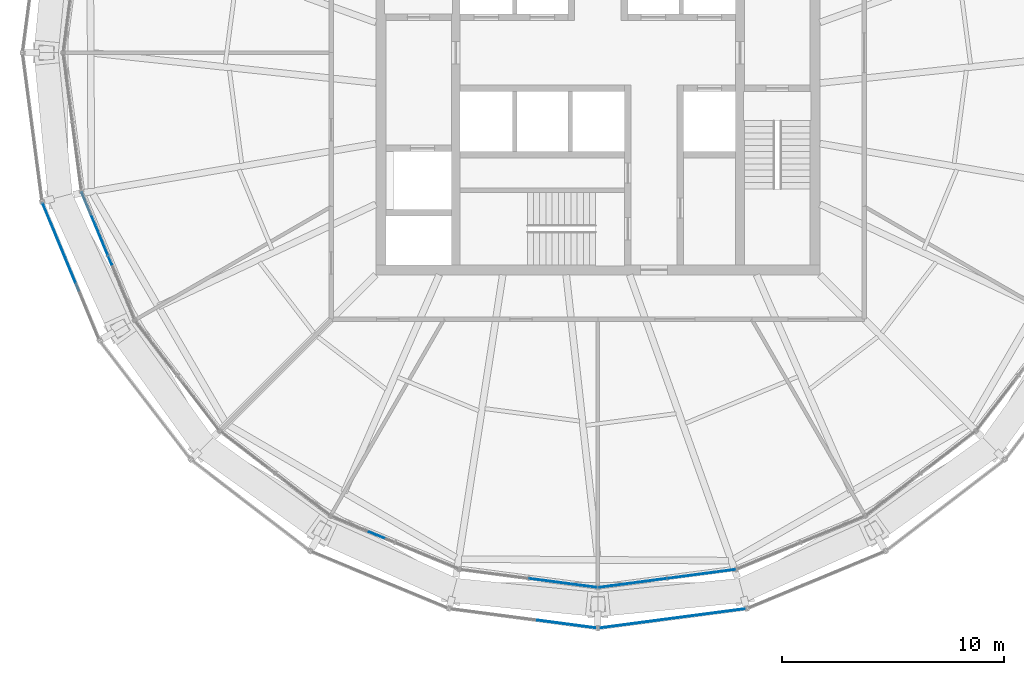
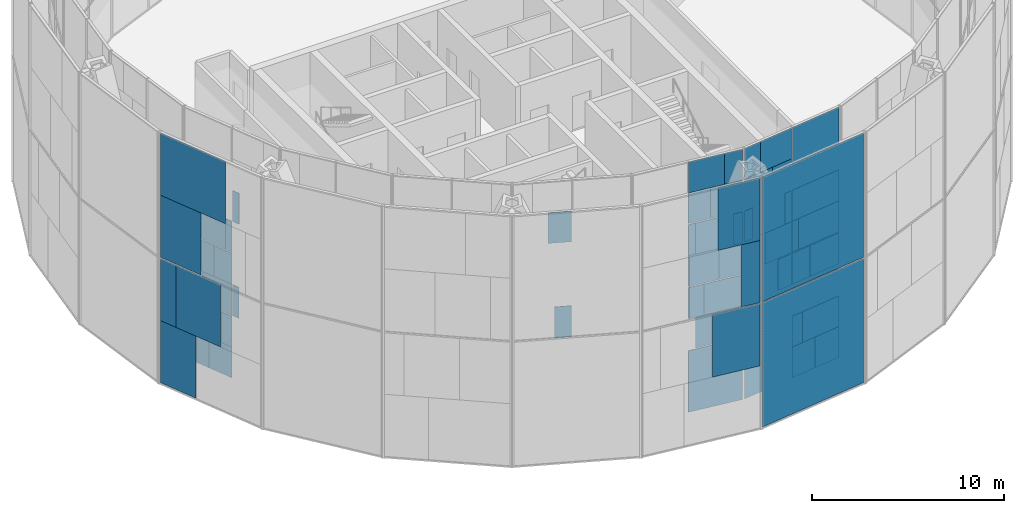
# One storey, part 15 of 30: 62 plates, 7 elements without a shape of their own.
"""IFC4 building model written with IfcOpenShell, lengths in metres."""

from ifc_helpers import new_model, si_unit, direction, frame, origin, origin_2d, place, context, subcontext, project, spatial, rectangle, extrude, material, layer, layer_set, type_object, element, aggregate, save


model = new_model("IFC4")

# Units and contexts
model_context = context("Model", 3, precision=1e-05, world=origin(), true_north=direction((0.0, 1.0)))
body_context = subcontext(model_context, "Body", "Model", "MODEL_VIEW")
ifc_project = project(units=[si_unit("LENGTHUNIT", "METRE"), si_unit("AREAUNIT", "SQUARE_METRE"), si_unit("VOLUMEUNIT", "CUBIC_METRE"), si_unit("PLANEANGLEUNIT", "RADIAN"), si_unit("MASSUNIT", "GRAM", prefix="KILO")], contexts=[model_context])

# Site, building, storey
site_placement = place(None, origin())
site = spatial("IfcSite", under=ifc_project, at=site_placement, CompositionType="ELEMENT")
building_placement = place(site_placement, origin())
building = spatial("IfcBuilding", under=site, at=building_placement, Name="Golbaran Civic Tower", CompositionType="ELEMENT")
storey_placement = place(building_placement, frame((0.0, 0.0, 167.0)))
storey = spatial("IfcBuildingStorey", under=building, at=storey_placement, Name="L40", CompositionType="ELEMENT", Elevation=167.0)

# Curtain wall, plates
ifc_material_1 = material(Name="Aluminium and glass", Category="aluminium")
curtain_wall_type_1 = type_object("IfcCurtainWallType", Name="INNER SKIN CURTAIN WALL EXECUTIVE", PredefinedType="NOTDEFINED", material=ifc_material_1)
curtain_wall_1_placement = place(storey_placement, origin())
curtain_wall_1 = element("IfcCurtainWall", 1, at=curtain_wall_1_placement, inside=storey, type_object=curtain_wall_type_1, Name="Inner skin L40 facet 14 CW2", ObjectType="INNER SKIN", PredefinedType="USERDEFINED")
ifc_material_2 = material(Name="Clear insulating glass", Category="glass")
ifc_layer_1 = layer(ifc_material_2, 0.031982421875, Name="Clear insulating glass")
ifc_layer_set_1 = layer_set([ifc_layer_1], Name="Clear insulating glass")
plate_type_1 = type_object("IfcPlateType", Name="INNER SKIN CURTAIN WALL EXECUTIVE GLAZED PANEL", PredefinedType="CURTAIN_PANEL", material=ifc_layer_set_1)
plate_1_placement = place(storey_placement, frame((-22.35400390625, -8.42626953125, 0.06005859375), z_axis=(0.0, 0.0, 1.0), x_axis=(0.382683432462, -0.923879532471, 0.0)))
plate_1 = element("IfcPlate", 2, at=plate_1_placement, type_object=plate_type_1, Name="CW2 panel 1.1 part 2", PredefinedType="CURTAIN_PANEL", context=body_context, shape_type="SweptSolid", body=[
    extrude(rectangle(XDim=1.4794921875, YDim=0.031982421875, at=origin_2d()), origin(), (0.0, 0.0, 1.0), 1.955078125),
])
plate_2_placement = place(storey_placement, frame((-22.20166015625, -8.7939453125, 2.014892578125), z_axis=(0.0, 0.0, 1.0), x_axis=(0.382683432462, -0.923879532471, 0.0)))
plate_2 = element("IfcPlate", 3, at=plate_2_placement, type_object=plate_type_1, Name="CW2 panel 1.1 part 4", PredefinedType="CURTAIN_PANEL", context=body_context, shape_type="SweptSolid", body=[
    extrude(rectangle(XDim=0.683349609375, YDim=0.031982421875, at=origin_2d()), origin(), (0.0, 0.0, 1.0), 1.955078125),
])
plate_3_placement = place(storey_placement, frame((-22.87744140625, -7.16259765625, 6.0), z_axis=(0.0, 0.0, 1.0), x_axis=(0.382683432462, -0.923879532471, 0.0)))
plate_3 = element("IfcPlate", 4, at=plate_3_placement, type_object=plate_type_1, Name="CW2 panel 1.2 part 3", PredefinedType="CURTAIN_PANEL", context=body_context, shape_type="SweptSolid", body=[
    extrude(rectangle(XDim=1.89208984375, YDim=0.031982421875, at=origin_2d()), origin(), (0.0, 0.0, 1.0), 1.969970703125),
])
plate_4_placement = place(storey_placement, frame((-22.73193359375, -7.513671875, 8.02978515625), z_axis=(0.0, 0.0, 1.0), x_axis=(0.382683432462, -0.923879532471, 0.0)))
plate_4 = element("IfcPlate", 5, at=plate_4_placement, type_object=plate_type_1, Name="CW2 panel 1.3 part 1", PredefinedType="CURTAIN_PANEL", context=body_context, shape_type="SweptSolid", body=[
    extrude(rectangle(XDim=2.652099609375, YDim=0.031982421875, at=origin_2d()), origin(), (0.0, 0.0, 1.0), 1.969970703125),
])
plate_5_placement = place(storey_placement, frame((-21.969970703125, -9.35302734375, 10.0), z_axis=(0.0, 0.0, 1.0), x_axis=(0.382683432462, -0.923879532471, 0.0)))
plate_5 = element("IfcPlate", 6, at=plate_5_placement, type_object=plate_type_1, Name="CW2 panel 2.3 part 3", PredefinedType="CURTAIN_PANEL", context=body_context, shape_type="SweptSolid", body=[
    extrude(rectangle(XDim=0.406982421875, YDim=0.031982421875, at=origin_2d()), origin(), (0.0, 0.0, 1.0), 1.969970703125),
])

# Curtain wall, plate
curtain_wall_2_placement = place(storey_placement, origin())
curtain_wall_2 = element("IfcCurtainWall", 7, at=curtain_wall_2_placement, inside=storey, type_object=curtain_wall_type_1, Name="Inner skin L40 facet 17 CW2", ObjectType="INNER SKIN", PredefinedType="USERDEFINED")
plate_6_placement = place(storey_placement, frame((-9.73486328125, -21.81201171875, 12.030029296875), z_axis=(0.0, 0.0, 1.0), x_axis=(0.923879532471, -0.382683432462, 0.0)))
plate_6 = element("IfcPlate", 8, at=plate_6_placement, type_object=plate_type_1, Name="CW2 panel 1.4 part 2", PredefinedType="CURTAIN_PANEL", context=body_context, shape_type="SweptSolid", body=[
    extrude(rectangle(XDim=1.2333984375, YDim=0.031982421875, at=origin_2d()), origin(), (0.0, 0.0, 1.0), 1.955078125),
])

# Curtain wall, plates
curtain_wall_3_placement = place(storey_placement, origin())
curtain_wall_3 = element("IfcCurtainWall", 9, at=curtain_wall_3_placement, inside=storey, type_object=curtain_wall_type_1, Name="Inner skin L40 facet 18 CW2", ObjectType="INNER SKIN", PredefinedType="USERDEFINED")
plate_7_placement = place(storey_placement, frame((-1.5732421875, -23.8759765625, 0.06005859375), z_axis=(0.0, 0.0, 1.0), x_axis=(0.991444861383, -0.130526192151, 0.0)))
plate_7 = element("IfcPlate", 10, at=plate_7_placement, type_object=plate_type_1, Name="CW2 panel 2.1", PredefinedType="CURTAIN_PANEL", context=body_context, shape_type="SweptSolid", body=[
    extrude(rectangle(XDim=3.053466796875, YDim=0.031982421875, at=origin_2d()), origin(), (0.0, 0.0, 1.0), 3.909912109375),
])
plate_8_placement = place(storey_placement, frame((-1.374267578125, -23.902099609375, 4.02978515625), z_axis=(0.0, 0.0, 1.0), x_axis=(0.991444861383, -0.130526192151, 0.0)))
plate_8 = element("IfcPlate", 11, at=plate_8_placement, type_object=plate_type_1, Name="CW2 panel 2.2 part 2", PredefinedType="CURTAIN_PANEL", context=body_context, shape_type="SweptSolid", body=[
    extrude(rectangle(XDim=2.65234375, YDim=0.031982421875, at=origin_2d()), origin(), (0.0, 0.0, 1.0), 1.969970703125),
])
plate_9_placement = place(storey_placement, frame((-1.134521484375, -23.93359375, 6.0), z_axis=(0.0, 0.0, 1.0), x_axis=(0.991444861383, -0.130526192151, 0.0)))
plate_9 = element("IfcPlate", 12, at=plate_9_placement, type_object=plate_type_1, Name="CW2 panel 2.2 part 4", PredefinedType="CURTAIN_PANEL", context=body_context, shape_type="SweptSolid", body=[
    extrude(rectangle(XDim=2.16845703125, YDim=0.031982421875, at=origin_2d()), origin(), (0.0, 0.0, 1.0), 1.969970703125),
])
plate_10_placement = place(storey_placement, frame((-0.724853515625, -23.987548828125, 8.02978515625), z_axis=(0.0, 0.0, 1.0), x_axis=(0.991444861383, -0.130526192151, 0.0)))
plate_10 = element("IfcPlate", 13, at=plate_10_placement, type_object=plate_type_1, Name="CW2 panel 2.3 part 2", PredefinedType="CURTAIN_PANEL", context=body_context, shape_type="SweptSolid", body=[
    extrude(rectangle(XDim=1.342529296875, YDim=0.031982421875, at=origin_2d()), origin(), (0.0, 0.0, 1.0), 1.969970703125),
])
plate_11_placement = place(storey_placement, frame((-2.885009765625, -23.703125, 10.0), z_axis=(0.0, 0.0, 1.0), x_axis=(0.991444861383, -0.130526192151, 0.0)))
plate_11 = element("IfcPlate", 14, at=plate_11_placement, type_object=plate_type_1, Name="CW2 panel 2.3 part 3", PredefinedType="CURTAIN_PANEL", context=body_context, shape_type="SweptSolid", body=[
    extrude(rectangle(XDim=0.406982421875, YDim=0.031982421875, at=origin_2d()), origin(), (0.0, 0.0, 1.0), 1.969970703125),
])
plate_12_placement = place(storey_placement, frame((-0.326904296875, -24.0400390625, 10.0), z_axis=(0.0, 0.0, 1.0), x_axis=(0.991444861383, -0.130526192151, 0.0)))
plate_12 = element("IfcPlate", 15, at=plate_12_placement, type_object=plate_type_1, Name="CW2 panel 2.3 part 5", PredefinedType="CURTAIN_PANEL", context=body_context, shape_type="SweptSolid", body=[
    extrude(rectangle(XDim=0.53955078125, YDim=0.031982421875, at=origin_2d()), origin(), (0.0, 0.0, 1.0), 1.969970703125),
])
plate_13_placement = place(storey_placement, frame((-2.47509765625, -23.757080078125, 12.030029296875), z_axis=(0.0, 0.0, 1.0), x_axis=(0.991444861383, -0.130526192151, 0.0)))
plate_13 = element("IfcPlate", 16, at=plate_13_placement, type_object=plate_type_1, Name="CW2 panel 2.4 part 1", PredefinedType="CURTAIN_PANEL", context=body_context, shape_type="SweptSolid", body=[
    extrude(rectangle(XDim=1.23388671875, YDim=0.031982421875, at=origin_2d()), origin(), (0.0, 0.0, 1.0), 1.955078125),
])
plate_14_placement = place(storey_placement, frame((-2.08056640625, -23.80908203125, 13.98486328125), z_axis=(0.0, 0.0, 1.0), x_axis=(0.991444861383, -0.130526192151, 0.0)))
plate_14 = element("IfcPlate", 17, at=plate_14_placement, type_object=plate_type_1, Name="CW2 panel 2.4 part 3", PredefinedType="CURTAIN_PANEL", context=body_context, shape_type="SweptSolid", body=[
    extrude(rectangle(XDim=2.030029296875, YDim=0.031982421875, at=origin_2d()), origin(), (0.0, 0.0, 1.0), 1.955078125),
])

curtain_wall_4_placement = place(storey_placement, origin())
curtain_wall_4 = element("IfcCurtainWall", 18, at=curtain_wall_4_placement, inside=storey, type_object=curtain_wall_type_1, Name="Inner skin L40 facet 19 CW2", ObjectType="INNER SKIN", PredefinedType="USERDEFINED")
plate_15_placement = place(storey_placement, frame((1.5732421875, -23.8759765625, 0.06005859375), z_axis=(0.0, 0.0, 1.0), x_axis=(0.991444861383, 0.130526192151, 0.0)))
plate_15 = element("IfcPlate", 19, at=plate_15_placement, type_object=plate_type_1, Name="CW2 panel 1.1", PredefinedType="CURTAIN_PANEL", context=body_context, shape_type="SweptSolid", body=[
    extrude(rectangle(XDim=3.053466796875, YDim=0.031982421875, at=origin_2d()), origin(), (0.0, 0.0, 1.0), 3.909912109375),
])
plate_16_placement = place(storey_placement, frame((1.3740234375, -23.902099609375, 4.02978515625), z_axis=(0.0, 0.0, 1.0), x_axis=(0.991444861383, 0.130526192151, 0.0)))
plate_16 = element("IfcPlate", 20, at=plate_16_placement, type_object=plate_type_1, Name="CW2 panel 1.2 part 1", PredefinedType="CURTAIN_PANEL", context=body_context, shape_type="SweptSolid", body=[
    extrude(rectangle(XDim=2.652099609375, YDim=0.031982421875, at=origin_2d()), origin(), (0.0, 0.0, 1.0), 1.969970703125),
])
plate_17_placement = place(storey_placement, frame((1.134765625, -23.93359375, 6.0), z_axis=(0.0, 0.0, 1.0), x_axis=(0.991444861383, 0.130526192151, 0.0)))
plate_17 = element("IfcPlate", 21, at=plate_17_placement, type_object=plate_type_1, Name="CW2 panel 1.2 part 3", PredefinedType="CURTAIN_PANEL", context=body_context, shape_type="SweptSolid", body=[
    extrude(rectangle(XDim=2.1689453125, YDim=0.031982421875, at=origin_2d()), origin(), (0.0, 0.0, 1.0), 1.969970703125),
])
plate_18_placement = place(storey_placement, frame((0.724853515625, -23.987548828125, 8.02978515625), z_axis=(0.0, 0.0, 1.0), x_axis=(0.991444861383, 0.130526192151, 0.0)))
plate_18 = element("IfcPlate", 22, at=plate_18_placement, type_object=plate_type_1, Name="CW2 panel 1.3 part 1", PredefinedType="CURTAIN_PANEL", context=body_context, shape_type="SweptSolid", body=[
    extrude(rectangle(XDim=1.342041015625, YDim=0.031982421875, at=origin_2d()), origin(), (0.0, 0.0, 1.0), 1.969970703125),
])
plate_19_placement = place(storey_placement, frame((0.3271484375, -24.0400390625, 10.0), z_axis=(0.0, 0.0, 1.0), x_axis=(0.991444861383, 0.130526192151, 0.0)))
plate_19 = element("IfcPlate", 23, at=plate_19_placement, type_object=plate_type_1, Name="CW2 panel 1.3 part 3", PredefinedType="CURTAIN_PANEL", context=body_context, shape_type="SweptSolid", body=[
    extrude(rectangle(XDim=0.5400390625, YDim=0.031982421875, at=origin_2d()), origin(), (0.0, 0.0, 1.0), 1.969970703125),
])
plate_20_placement = place(storey_placement, frame((2.884765625, -23.703125, 10.0), z_axis=(0.0, 0.0, 1.0), x_axis=(0.991444861383, 0.130526192151, 0.0)))
plate_20 = element("IfcPlate", 24, at=plate_20_placement, type_object=plate_type_1, Name="CW2 panel 1.3 part 5", PredefinedType="CURTAIN_PANEL", context=body_context, shape_type="SweptSolid", body=[
    extrude(rectangle(XDim=0.407470703125, YDim=0.031982421875, at=origin_2d()), origin(), (0.0, 0.0, 1.0), 1.969970703125),
])
plate_21_placement = place(storey_placement, frame((2.475341796875, -23.757080078125, 12.030029296875), z_axis=(0.0, 0.0, 1.0), x_axis=(0.991444861383, 0.130526192151, 0.0)))
plate_21 = element("IfcPlate", 25, at=plate_21_placement, type_object=plate_type_1, Name="CW2 panel 1.4 part 2", PredefinedType="CURTAIN_PANEL", context=body_context, shape_type="SweptSolid", body=[
    extrude(rectangle(XDim=1.2333984375, YDim=0.031982421875, at=origin_2d()), origin(), (0.0, 0.0, 1.0), 1.955078125),
])
plate_22_placement = place(storey_placement, frame((2.080810546875, -23.80908203125, 13.98486328125), z_axis=(0.0, 0.0, 1.0), x_axis=(0.991444861383, 0.130526192151, 0.0)))
plate_22 = element("IfcPlate", 26, at=plate_22_placement, type_object=plate_type_1, Name="CW2 panel 1.4 part 4", PredefinedType="CURTAIN_PANEL", context=body_context, shape_type="SweptSolid", body=[
    extrude(rectangle(XDim=2.029541015625, YDim=0.031982421875, at=origin_2d()), origin(), (0.0, 0.0, 1.0), 1.955078125),
])
plate_23_placement = place(storey_placement, frame((3.8798828125, -23.572265625, 0.06005859375), z_axis=(0.0, 0.0, 1.0), x_axis=(0.991444861383, 0.130526192151, 0.0)))
plate_23 = element("IfcPlate", 27, at=plate_23_placement, type_object=plate_type_1, Name="CW2 panel 2.1 part 1", PredefinedType="CURTAIN_PANEL", context=body_context, shape_type="SweptSolid", body=[
    extrude(rectangle(XDim=1.47998046875, YDim=0.031982421875, at=origin_2d()), origin(), (0.0, 0.0, 1.0), 1.955078125),
])
plate_24_placement = place(storey_placement, frame((3.4853515625, -23.6240234375, 2.014892578125), z_axis=(0.0, 0.0, 1.0), x_axis=(0.991444861383, 0.130526192151, 0.0)))
plate_24 = element("IfcPlate", 28, at=plate_24_placement, type_object=plate_type_1, Name="CW2 panel 2.1 part 3", PredefinedType="CURTAIN_PANEL", context=body_context, shape_type="SweptSolid", body=[
    extrude(rectangle(XDim=0.68408203125, YDim=0.031982421875, at=origin_2d()), origin(), (0.0, 0.0, 1.0), 1.955078125),
])
plate_25_placement = place(storey_placement, frame((5.633544921875, -23.34130859375, 4.02978515625), z_axis=(0.0, 0.0, 1.0), x_axis=(0.991444861383, 0.130526192151, 0.0)))
plate_25 = element("IfcPlate", 29, at=plate_25_placement, type_object=plate_type_1, Name="CW2 panel 2.2 part 2", PredefinedType="CURTAIN_PANEL", context=body_context, shape_type="SweptSolid", body=[
    extrude(rectangle(XDim=1.08935546875, YDim=0.031982421875, at=origin_2d()), origin(), (0.0, 0.0, 1.0), 1.969970703125),
])
plate_26_placement = place(storey_placement, frame((5.235595703125, -23.393798828125, 6.0), z_axis=(0.0, 0.0, 1.0), x_axis=(0.991444861383, 0.130526192151, 0.0)))
plate_26 = element("IfcPlate", 30, at=plate_26_placement, type_object=plate_type_1, Name="CW2 panel 2.2 part 4", PredefinedType="CURTAIN_PANEL", context=body_context, shape_type="SweptSolid", body=[
    extrude(rectangle(XDim=1.892578125, YDim=0.031982421875, at=origin_2d()), origin(), (0.0, 0.0, 1.0), 1.969970703125),
])
plate_27_placement = place(storey_placement, frame((4.85888671875, -23.443359375, 8.02978515625), z_axis=(0.0, 0.0, 1.0), x_axis=(0.991444861383, 0.130526192151, 0.0)))
plate_27 = element("IfcPlate", 31, at=plate_27_placement, type_object=plate_type_1, Name="CW2 panel 2.3 part 2", PredefinedType="CURTAIN_PANEL", context=body_context, shape_type="SweptSolid", body=[
    extrude(rectangle(XDim=2.65234375, YDim=0.031982421875, at=origin_2d()), origin(), (0.0, 0.0, 1.0), 1.969970703125),
])
plate_28_placement = place(storey_placement, frame((4.659912109375, -23.469482421875, 10.0), z_axis=(0.0, 0.0, 1.0), x_axis=(0.991444861383, 0.130526192151, 0.0)))
plate_28 = element("IfcPlate", 32, at=plate_28_placement, type_object=plate_type_1, Name="CW2 panel 2.3 part 3", PredefinedType="CURTAIN_PANEL", context=body_context, shape_type="SweptSolid", body=[
    extrude(rectangle(XDim=3.053466796875, YDim=0.031982421875, at=origin_2d()), origin(), (0.0, 0.0, 1.0), 1.969970703125),
])
plate_29_placement = place(storey_placement, frame((4.659912109375, -23.469482421875, 12.0302734375), z_axis=(0.0, 0.0, 1.0), x_axis=(0.991444861383, 0.130526192151, 0.0)))
plate_29 = element("IfcPlate", 33, at=plate_29_placement, type_object=plate_type_1, Name="CW2 panel 2.4", PredefinedType="CURTAIN_PANEL", context=body_context, shape_type="SweptSolid", body=[
    extrude(rectangle(XDim=3.053466796875, YDim=0.031982421875, at=origin_2d()), origin(), (0.0, 0.0, 1.0), 3.909912109375),
])

# Plate
ifc_material_3 = material(Name="Aluminium faced opaque infill panel", Category="aluminium")
ifc_layer_2 = layer(ifc_material_3, 0.031982421875, Name="Aluminium faced opaque infill panel")
ifc_layer_set_2 = layer_set([ifc_layer_2], Name="Aluminium faced opaque infill panel")
plate_type_2 = type_object("IfcPlateType", Name="INNER SKIN CURTAIN WALL EXECUTIVE OPAQUE INFILL PANEL", PredefinedType="CURTAIN_PANEL", material=ifc_layer_set_2)
plate_30_placement = place(storey_placement, frame((-22.938232421875, -7.015625, 0.06005859375), z_axis=(0.0, 0.0, 1.0), x_axis=(0.382683432462, -0.923879532471, 0.0)))
plate_30 = element("IfcPlate", 34, at=plate_30_placement, type_object=plate_type_2, Name="CW2 infill panel 1.1 part 1", PredefinedType="CURTAIN_PANEL", context=body_context, shape_type="SweptSolid", body=[
    extrude(rectangle(XDim=1.573974609375, YDim=0.031982421875, at=origin_2d()), origin(), (0.0, 0.0, 1.0), 1.955078125),
])

plate_31_placement = place(storey_placement, frame((-22.785888671875, -7.38330078125, 2.014892578125), z_axis=(0.0, 0.0, 1.0), x_axis=(0.382683432462, -0.923879532471, 0.0)))
plate_31 = element("IfcPlate", 35, at=plate_31_placement, type_object=plate_type_2, Name="CW2 infill panel 1.1 part 3", PredefinedType="CURTAIN_PANEL", context=body_context, shape_type="SweptSolid", body=[
    extrude(rectangle(XDim=2.3701171875, YDim=0.031982421875, at=origin_2d()), origin(), (0.0, 0.0, 1.0), 1.955078125),
])

plate_32_placement = place(storey_placement, frame((-22.446533203125, -8.20263671875, 4.02978515625), z_axis=(0.0, 0.0, 1.0), x_axis=(0.382683432462, -0.923879532471, 0.0)))
plate_32 = element("IfcPlate", 36, at=plate_32_placement, type_object=plate_type_2, Name="CW2 infill panel 1.2 part 2", PredefinedType="CURTAIN_PANEL", context=body_context, shape_type="SweptSolid", body=[
    extrude(rectangle(XDim=1.96337890625, YDim=0.031982421875, at=origin_2d()), origin(), (0.0, 0.0, 1.0), 1.969970703125),
])

plate_33_placement = place(storey_placement, frame((-22.293212890625, -8.572998046875, 6.0), z_axis=(0.0, 0.0, 1.0), x_axis=(0.382683432462, -0.923879532471, 0.0)))
plate_33 = element("IfcPlate", 37, at=plate_33_placement, type_object=plate_type_2, Name="CW2 infill panel 1.2 part 4", PredefinedType="CURTAIN_PANEL", context=body_context, shape_type="SweptSolid", body=[
    extrude(rectangle(XDim=1.161376953125, YDim=0.031982421875, at=origin_2d()), origin(), (0.0, 0.0, 1.0), 1.969970703125),
])

plate_34_placement = place(storey_placement, frame((-22.147705078125, -8.924072265625, 8.02978515625), z_axis=(0.0, 0.0, 1.0), x_axis=(0.382683432462, -0.923879532471, 0.0)))
plate_34 = element("IfcPlate", 38, at=plate_34_placement, type_object=plate_type_2, Name="CW2 infill panel 1.3 part 2", PredefinedType="CURTAIN_PANEL", context=body_context, shape_type="SweptSolid", body=[
    extrude(rectangle(XDim=0.4013671875, YDim=0.031982421875, at=origin_2d()), origin(), (0.0, 0.0, 1.0), 1.969970703125),
])

plate_35_placement = place(storey_placement, frame((-21.97119140625, -9.350341796875, 4.02978515625), z_axis=(0.0, 0.0, 1.0), x_axis=(0.382683432462, -0.923879532471, 0.0)))
plate_35 = element("IfcPlate", 39, at=plate_35_placement, type_object=plate_type_2, Name="CW2 infill panel 2.2 part 1", PredefinedType="CURTAIN_PANEL", context=body_context, shape_type="SweptSolid", body=[
    extrude(rectangle(XDim=0.40087890625, YDim=0.031982421875, at=origin_2d()), origin(), (0.0, 0.0, 1.0), 1.969970703125),
])

aggregate(curtain_wall_1, [plate_30, plate_1, plate_31, plate_2, plate_32, plate_3, plate_33, plate_4, plate_34, plate_35, plate_5])

plate_36_placement = place(storey_placement, frame((-9.573486328125, -21.878662109375, 6.0), z_axis=(0.0, 0.0, 1.0), x_axis=(0.923879532471, -0.382683432462, 0.0)))
plate_36 = element("IfcPlate", 40, at=plate_36_placement, type_object=plate_type_2, Name="CW2 infill panel 1.2 part 4", PredefinedType="CURTAIN_PANEL", context=body_context, shape_type="SweptSolid", body=[
    extrude(rectangle(XDim=0.884521484375, YDim=0.031982421875, at=origin_2d()), origin(), (0.0, 0.0, 1.0), 1.969970703125),
])

aggregate(curtain_wall_2, [plate_36, plate_6])

plate_37_placement = place(storey_placement, frame((-2.648193359375, -23.734375, 6.0), z_axis=(0.0, 0.0, 1.0), x_axis=(0.991444861383, -0.130526192151, 0.0)))
plate_37 = element("IfcPlate", 41, at=plate_37_placement, type_object=plate_type_2, Name="CW2 infill panel 2.2 part 3", PredefinedType="CURTAIN_PANEL", context=body_context, shape_type="SweptSolid", body=[
    extrude(rectangle(XDim=0.885009765625, YDim=0.031982421875, at=origin_2d()), origin(), (0.0, 0.0, 1.0), 1.969970703125),
])

plate_38_placement = place(storey_placement, frame((-2.238525390625, -23.788330078125, 8.02978515625), z_axis=(0.0, 0.0, 1.0), x_axis=(0.991444861383, -0.130526192151, 0.0)))
plate_38 = element("IfcPlate", 42, at=plate_38_placement, type_object=plate_type_2, Name="CW2 infill panel 2.3 part 1", PredefinedType="CURTAIN_PANEL", context=body_context, shape_type="SweptSolid", body=[
    extrude(rectangle(XDim=1.7109375, YDim=0.031982421875, at=origin_2d()), origin(), (0.0, 0.0, 1.0), 1.969970703125),
])

plate_39_placement = place(storey_placement, frame((-1.638916015625, -23.8671875, 10.0), z_axis=(0.0, 0.0, 1.0), x_axis=(0.991444861383, -0.130526192151, 0.0)))
plate_39 = element("IfcPlate", 43, at=plate_39_placement, type_object=plate_type_2, Name="CW2 infill panel 2.3 part 4", PredefinedType="CURTAIN_PANEL", context=body_context, shape_type="SweptSolid", body=[
    extrude(rectangle(XDim=2.10693359375, YDim=0.031982421875, at=origin_2d()), origin(), (0.0, 0.0, 1.0), 1.969970703125),
])

plate_40_placement = place(storey_placement, frame((-0.96142578125, -23.95654296875, 12.030029296875), z_axis=(0.0, 0.0, 1.0), x_axis=(0.991444861383, -0.130526192151, 0.0)))
plate_40 = element("IfcPlate", 44, at=plate_40_placement, type_object=plate_type_2, Name="CW2 infill panel 2.4 part 2", PredefinedType="CURTAIN_PANEL", context=body_context, shape_type="SweptSolid", body=[
    extrude(rectangle(XDim=1.819580078125, YDim=0.031982421875, at=origin_2d()), origin(), (0.0, 0.0, 1.0), 1.955078125),
])

plate_41_placement = place(storey_placement, frame((-0.56689453125, -24.00830078125, 13.98486328125), z_axis=(0.0, 0.0, 1.0), x_axis=(0.991444861383, -0.130526192151, 0.0)))
plate_41 = element("IfcPlate", 45, at=plate_41_placement, type_object=plate_type_2, Name="CW2 infill panel 2.4 part 4", PredefinedType="CURTAIN_PANEL", context=body_context, shape_type="SweptSolid", body=[
    extrude(rectangle(XDim=1.0234375, YDim=0.031982421875, at=origin_2d()), origin(), (0.0, 0.0, 1.0), 1.955078125),
])

aggregate(curtain_wall_3, [plate_7, plate_8, plate_37, plate_9, plate_38, plate_10, plate_11, plate_39, plate_12, plate_13, plate_40, plate_14, plate_41])

plate_42_placement = place(storey_placement, frame((2.8876953125, -23.702880859375, 4.02978515625), z_axis=(0.0, 0.0, 1.0), x_axis=(0.991444861383, 0.130526192151, 0.0)))
plate_42 = element("IfcPlate", 46, at=plate_42_placement, type_object=plate_type_2, Name="CW2 infill panel 1.2 part 2", PredefinedType="CURTAIN_PANEL", context=body_context, shape_type="SweptSolid", body=[
    extrude(rectangle(XDim=0.4013671875, YDim=0.031982421875, at=origin_2d()), origin(), (0.0, 0.0, 1.0), 1.969970703125),
])

plate_43_placement = place(storey_placement, frame((2.6484375, -23.734375, 6.0), z_axis=(0.0, 0.0, 1.0), x_axis=(0.991444861383, 0.130526192151, 0.0)))
plate_43 = element("IfcPlate", 47, at=plate_43_placement, type_object=plate_type_2, Name="CW2 infill panel 1.2 part 4", PredefinedType="CURTAIN_PANEL", context=body_context, shape_type="SweptSolid", body=[
    extrude(rectangle(XDim=0.884521484375, YDim=0.031982421875, at=origin_2d()), origin(), (0.0, 0.0, 1.0), 1.969970703125),
])

plate_44_placement = place(storey_placement, frame((2.238525390625, -23.788330078125, 8.02978515625), z_axis=(0.0, 0.0, 1.0), x_axis=(0.991444861383, 0.130526192151, 0.0)))
plate_44 = element("IfcPlate", 48, at=plate_44_placement, type_object=plate_type_2, Name="CW2 infill panel 1.3 part 2", PredefinedType="CURTAIN_PANEL", context=body_context, shape_type="SweptSolid", body=[
    extrude(rectangle(XDim=1.71142578125, YDim=0.031982421875, at=origin_2d()), origin(), (0.0, 0.0, 1.0), 1.969970703125),
])

plate_45_placement = place(storey_placement, frame((1.638916015625, -23.8671875, 10.0), z_axis=(0.0, 0.0, 1.0), x_axis=(0.991444861383, 0.130526192151, 0.0)))
plate_45 = element("IfcPlate", 49, at=plate_45_placement, type_object=plate_type_2, Name="CW2 infill panel 1.3 part 4", PredefinedType="CURTAIN_PANEL", context=body_context, shape_type="SweptSolid", body=[
    extrude(rectangle(XDim=2.10595703125, YDim=0.031982421875, at=origin_2d()), origin(), (0.0, 0.0, 1.0), 1.969970703125),
])

plate_46_placement = place(storey_placement, frame((0.961669921875, -23.956298828125, 12.030029296875), z_axis=(0.0, 0.0, 1.0), x_axis=(0.991444861383, 0.130526192151, 0.0)))
plate_46 = element("IfcPlate", 50, at=plate_46_placement, type_object=plate_type_2, Name="CW2 infill panel 1.4 part 1", PredefinedType="CURTAIN_PANEL", context=body_context, shape_type="SweptSolid", body=[
    extrude(rectangle(XDim=1.820068359375, YDim=0.031982421875, at=origin_2d()), origin(), (0.0, 0.0, 1.0), 1.955078125),
])

plate_47_placement = place(storey_placement, frame((0.567138671875, -24.00830078125, 13.98486328125), z_axis=(0.0, 0.0, 1.0), x_axis=(0.991444861383, 0.130526192151, 0.0)))
plate_47 = element("IfcPlate", 51, at=plate_47_placement, type_object=plate_type_2, Name="CW2 infill panel 1.4 part 3", PredefinedType="CURTAIN_PANEL", context=body_context, shape_type="SweptSolid", body=[
    extrude(rectangle(XDim=1.02392578125, YDim=0.031982421875, at=origin_2d()), origin(), (0.0, 0.0, 1.0), 1.955078125),
])

plate_48_placement = place(storey_placement, frame((5.3935546875, -23.372802734375, 0.06005859375), z_axis=(0.0, 0.0, 1.0), x_axis=(0.991444861383, 0.130526192151, 0.0)))
plate_48 = element("IfcPlate", 52, at=plate_48_placement, type_object=plate_type_2, Name="CW2 infill panel 2.1 part 2", PredefinedType="CURTAIN_PANEL", context=body_context, shape_type="SweptSolid", body=[
    extrude(rectangle(XDim=1.573486328125, YDim=0.031982421875, at=origin_2d()), origin(), (0.0, 0.0, 1.0), 1.955078125),
])

plate_49_placement = place(storey_placement, frame((4.9990234375, -23.4248046875, 2.014892578125), z_axis=(0.0, 0.0, 1.0), x_axis=(0.991444861383, 0.130526192151, 0.0)))
plate_49 = element("IfcPlate", 53, at=plate_49_placement, type_object=plate_type_2, Name="CW2 infill panel 2.1 part 4", PredefinedType="CURTAIN_PANEL", context=body_context, shape_type="SweptSolid", body=[
    extrude(rectangle(XDim=2.369384765625, YDim=0.031982421875, at=origin_2d()), origin(), (0.0, 0.0, 1.0), 1.955078125),
])

plate_50_placement = place(storey_placement, frame((4.119873046875, -23.54052734375, 4.02978515625), z_axis=(0.0, 0.0, 1.0), x_axis=(0.991444861383, 0.130526192151, 0.0)))
plate_50 = element("IfcPlate", 54, at=plate_50_placement, type_object=plate_type_2, Name="CW2 infill panel 2.2 part 1", PredefinedType="CURTAIN_PANEL", context=body_context, shape_type="SweptSolid", body=[
    extrude(rectangle(XDim=1.964111328125, YDim=0.031982421875, at=origin_2d()), origin(), (0.0, 0.0, 1.0), 1.969970703125),
])

plate_51_placement = place(storey_placement, frame((3.721923828125, -23.593017578125, 6.0), z_axis=(0.0, 0.0, 1.0), x_axis=(0.991444861383, 0.130526192151, 0.0)))
plate_51 = element("IfcPlate", 55, at=plate_51_placement, type_object=plate_type_2, Name="CW2 infill panel 2.2 part 3", PredefinedType="CURTAIN_PANEL", context=body_context, shape_type="SweptSolid", body=[
    extrude(rectangle(XDim=1.160888671875, YDim=0.031982421875, at=origin_2d()), origin(), (0.0, 0.0, 1.0), 1.969970703125),
])

plate_52_placement = place(storey_placement, frame((3.34521484375, -23.642578125, 8.02978515625), z_axis=(0.0, 0.0, 1.0), x_axis=(0.991444861383, 0.130526192151, 0.0)))
plate_52 = element("IfcPlate", 56, at=plate_52_placement, type_object=plate_type_2, Name="CW2 infill panel 2.3 part 1", PredefinedType="CURTAIN_PANEL", context=body_context, shape_type="SweptSolid", body=[
    extrude(rectangle(XDim=0.40087890625, YDim=0.031982421875, at=origin_2d()), origin(), (0.0, 0.0, 1.0), 1.969970703125),
])

aggregate(curtain_wall_4, [plate_15, plate_16, plate_42, plate_17, plate_43, plate_18, plate_44, plate_19, plate_45, plate_20, plate_46, plate_21, plate_47, plate_22, plate_23, plate_48, plate_24, plate_49, plate_50, plate_25, plate_51, plate_26, plate_52, plate_27, plate_28, plate_29])

# Curtain wall, plates
curtain_wall_type_2 = type_object("IfcCurtainWallType", Name="OUTER SKIN TERRACOTTA SCREEN", PredefinedType="NOTDEFINED", material=ifc_material_1)
curtain_wall_5_placement = place(storey_placement, origin())
curtain_wall_5 = element("IfcCurtainWall", 57, at=curtain_wall_5_placement, inside=storey, type_object=curtain_wall_type_2, Name="Outer skin L40 facet 14 CW3", ObjectType="OUTER SKIN", PredefinedType="USERDEFINED")
ifc_material_4 = material(Name="Clear laminated glass", Category="glass")
ifc_layer_3 = layer(ifc_material_4, 0.0400390625, Name="Clear laminated glass")
ifc_layer_set_3 = layer_set([ifc_layer_3], Name="Clear laminated glass")
plate_type_3 = type_object("IfcPlateType", Name="OUTER SKIN CLEAR GLASS PANEL", PredefinedType="CURTAIN_PANEL", material=ifc_layer_set_3)
plate_53_placement = place(storey_placement, frame((-24.804931640625, -7.25, 3.31005859375), z_axis=(0.0, 0.0, 1.0), x_axis=(0.382683432462, -0.923879532471, 0.0)))
plate_53 = element("IfcPlate", 58, at=plate_53_placement, type_object=plate_type_3, Name="CW3 panel 1.1 part 3", PredefinedType="CURTAIN_PANEL", context=body_context, shape_type="SweptSolid", body=[
    extrude(rectangle(XDim=1.01611328125, YDim=0.0400390625, at=origin_2d()), origin(), (0.0, 0.0, 1.0), 3.93994140625),
])
plate_54_placement = place(storey_placement, frame((-24.491943359375, -8.005859375, 7.330078125), z_axis=(0.0, 0.0, 1.0), x_axis=(0.382683432462, -0.923879532471, 0.0)))
plate_54 = element("IfcPlate", 59, at=plate_54_placement, type_object=plate_type_3, Name="CW3 panel 1.2 part 1", PredefinedType="CURTAIN_PANEL", context=body_context, shape_type="SweptSolid", body=[
    extrude(rectangle(XDim=2.652099609375, YDim=0.0400390625, at=origin_2d()), origin(), (0.0, 0.0, 1.0), 3.93994140625),
])
plate_55_placement = place(storey_placement, frame((-24.1845703125, -8.74755859375, 11.27001953125), z_axis=(0.0, 0.0, 1.0), x_axis=(0.382683432462, -0.923879532471, 0.0)))
plate_55 = element("IfcPlate", 60, at=plate_55_placement, type_object=plate_type_3, Name="CW3 panel 1.2 part 4", PredefinedType="CURTAIN_PANEL", context=body_context, shape_type="SweptSolid", body=[
    extrude(rectangle(XDim=4.258056640625, YDim=0.0400390625, at=origin_2d()), origin(), (0.0, 0.0, 1.0), 3.93994140625),
])

curtain_wall_6_placement = place(storey_placement, origin())
curtain_wall_6 = element("IfcCurtainWall", 61, at=curtain_wall_6_placement, inside=storey, type_object=curtain_wall_type_2, Name="Outer skin L40 facet 18 CW3", ObjectType="OUTER SKIN", PredefinedType="USERDEFINED")
plate_56_placement = place(storey_placement, frame((-1.408203125, -25.7275390625, 3.31005859375), z_axis=(0.0, 0.0, 1.0), x_axis=(0.991444861381, -0.130526192168, 0.0)))
plate_56 = element("IfcPlate", 62, at=plate_56_placement, type_object=plate_type_3, Name="CW3 panel 1.1 part 5", PredefinedType="CURTAIN_PANEL", context=body_context, shape_type="SweptSolid", body=[
    extrude(rectangle(XDim=2.6806640625, YDim=0.0400390625, at=origin_2d()), origin(), (0.0, 0.0, 1.0), 3.93994140625),
])
plate_57_placement = place(storey_placement, frame((-0.5966796875, -25.83447265625, 7.330078125), z_axis=(0.0, 0.0, 1.0), x_axis=(0.991444861381, -0.130526192168, 0.0)))
plate_57 = element("IfcPlate", 63, at=plate_57_placement, type_object=plate_type_3, Name="CW3 panel 1.2 part 3", PredefinedType="CURTAIN_PANEL", context=body_context, shape_type="SweptSolid", body=[
    extrude(rectangle(XDim=1.043701171875, YDim=0.0400390625, at=origin_2d()), origin(), (0.0, 0.0, 1.0), 3.93994140625),
])

# Plate
ifc_material_5 = material(Name="Terracotta baguette screen", Category="masonry")
ifc_layer_4 = layer(ifc_material_5, 0.0400390625, Name="Terracotta baguette screen")
ifc_layer_set_4 = layer_set([ifc_layer_4], Name="Terracotta baguette screen")
plate_type_4 = type_object("IfcPlateType", Name="OUTER SKIN TERRACOTTA INFILL PANEL", PredefinedType="CURTAIN_PANEL", material=ifc_layer_set_4)
plate_58_placement = place(storey_placement, frame((-24.555419921875, -7.852294921875, -0.6298828125), z_axis=(0.0, 0.0, 1.0), x_axis=(0.382683432462, -0.923879532471, 0.0)))
plate_58 = element("IfcPlate", 64, at=plate_58_placement, type_object=plate_type_4, Name="CW3 infill panel 1.1 part 1", PredefinedType="CURTAIN_PANEL", context=body_context, shape_type="SweptSolid", body=[
    extrude(rectangle(XDim=2.320068359375, YDim=0.0400390625, at=origin_2d()), origin(), (0.0, 0.0, 1.0), 3.93994140625),
])

plate_59_placement = place(storey_placement, frame((-24.05419921875, -9.062744140625, 3.31005859375), z_axis=(0.0, 0.0, 1.0), x_axis=(0.382683432462, -0.923879532471, 0.0)))
plate_59 = element("IfcPlate", 65, at=plate_59_placement, type_object=plate_type_4, Name="CW3 infill panel 1.1 part 4", PredefinedType="CURTAIN_PANEL", context=body_context, shape_type="SweptSolid", body=[
    extrude(rectangle(XDim=2.907958984375, YDim=0.0400390625, at=origin_2d()), origin(), (0.0, 0.0, 1.0), 3.93994140625),
])

aggregate(curtain_wall_5, [plate_58, plate_53, plate_59, plate_54, plate_55])

plate_60_placement = place(storey_placement, frame((-1.24267578125, -25.74951171875, 11.27001953125), z_axis=(0.0, 0.0, 1.0), x_axis=(0.991444861381, -0.130526192168, 0.0)))
plate_60 = element("IfcPlate", 66, at=plate_60_placement, type_object=plate_type_4, Name="CW3 infill panel 1.2 part 5", PredefinedType="CURTAIN_PANEL", context=body_context, shape_type="SweptSolid", body=[
    extrude(rectangle(XDim=2.3466796875, YDim=0.0400390625, at=origin_2d()), origin(), (0.0, 0.0, 1.0), 3.93994140625),
])

aggregate(curtain_wall_6, [plate_56, plate_57, plate_60])

# Curtain wall, plates
curtain_wall_7_placement = place(storey_placement, origin())
curtain_wall_7 = element("IfcCurtainWall", 67, at=curtain_wall_7_placement, inside=storey, type_object=curtain_wall_type_2, Name="Outer skin L40 facet 19 CW3", ObjectType="OUTER SKIN", PredefinedType="USERDEFINED")
ifc_layer_5 = layer(ifc_material_5, 0.0400390625, Name="Terracotta baguette screen")
ifc_layer_set_5 = layer_set([ifc_layer_5], Name="Terracotta baguette screen")
plate_type_5 = type_object("IfcPlateType", Name="OUTER SKIN TERRACOTTA SCREEN PANEL", PredefinedType="CURTAIN_PANEL", material=ifc_layer_set_5)
plate_61_placement = place(storey_placement, frame((3.353271484375, -25.471435546875, -0.6298828125), z_axis=(0.0, 0.0, 1.0), x_axis=(0.991444861381, 0.130526192168, 0.0)))
plate_61 = element("IfcPlate", 68, at=plate_61_placement, type_object=plate_type_5, Name="CW3 terracotta screen panel 1.1", PredefinedType="CURTAIN_PANEL", context=body_context, shape_type="SweptSolid", body=[
    extrude(rectangle(XDim=6.604736328125, YDim=0.0400390625, at=origin_2d()), origin(), (0.0, 0.0, 1.0), 7.8798828125),
])
plate_62_placement = place(storey_placement, frame((3.353271484375, -25.471435546875, 7.330078125), z_axis=(0.0, 0.0, 1.0), x_axis=(0.991444861381, 0.130526192168, 0.0)))
plate_62 = element("IfcPlate", 69, at=plate_62_placement, type_object=plate_type_5, Name="CW3 terracotta screen panel 1.2", PredefinedType="CURTAIN_PANEL", context=body_context, shape_type="SweptSolid", body=[
    extrude(rectangle(XDim=6.604736328125, YDim=0.0400390625, at=origin_2d()), origin(), (0.0, 0.0, 1.0), 7.8798828125),
])
aggregate(curtain_wall_7, [plate_61, plate_62])

save(model, "model.ifc")
